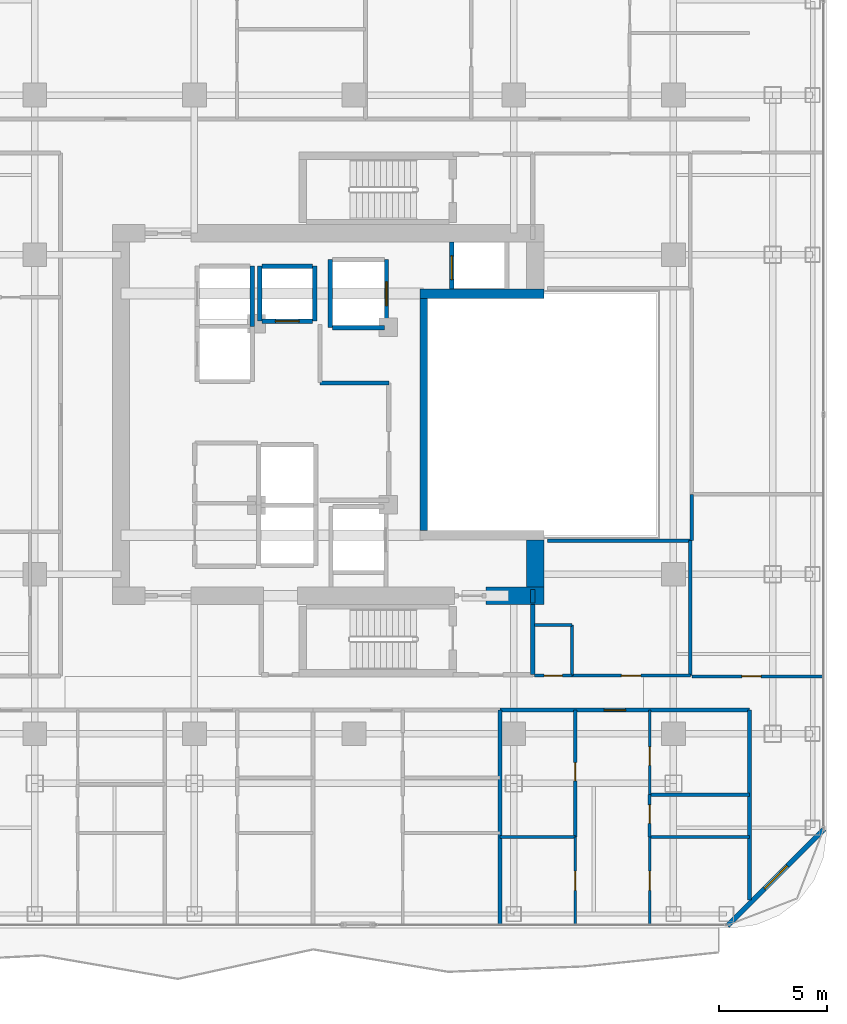
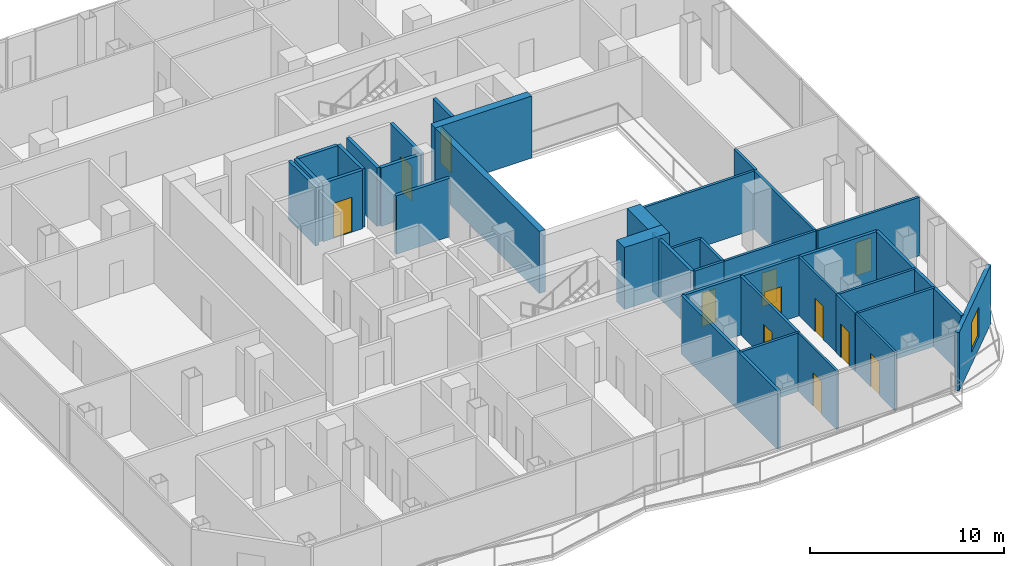
# One storey, part 20 of 25: 36 walls, 12 doors, 1 window, 13 openings.
"""IFC4 building model written with IfcOpenShell, lengths in metres."""

from ifc_helpers import new_model, si_unit, direction, frame, frame_2d, origin, place, context, subcontext, project, spatial, rectangle, extrude, material, layer, layer_set, type_object, element, fill, save


model = new_model("IFC4")

# Units and contexts
model_context = context("Model", 3, precision=1e-05, world=origin(), true_north=direction((0.0, 1.0)))
body_context = subcontext(model_context, "Body", "Model", "MODEL_VIEW")
ifc_project = project(units=[si_unit("LENGTHUNIT", "METRE"), si_unit("AREAUNIT", "SQUARE_METRE"), si_unit("VOLUMEUNIT", "CUBIC_METRE"), si_unit("PLANEANGLEUNIT", "RADIAN"), si_unit("MASSUNIT", "GRAM", prefix="KILO")], contexts=[model_context])

# Site, building, storey
site_placement = place(None, origin())
site = spatial("IfcSite", under=ifc_project, at=site_placement, CompositionType="ELEMENT")
building_placement = place(site_placement, origin())
building = spatial("IfcBuilding", under=site, at=building_placement, Name="Khorvyn Point Tower", CompositionType="ELEMENT")
storey_placement = place(building_placement, frame((0.0, 0.0, 171.89990234375)))
storey = spatial("IfcBuildingStorey", under=building, at=storey_placement, Name="L42", CompositionType="ELEMENT", Elevation=171.89990234375)

# Wall, opening, door
ifc_material_1 = material(Name="Double acoustic gypsum on twin steel stud", Category="steel")
ifc_layer_1 = layer(ifc_material_1, 0.179931640625)
ifc_layer_set_1 = layer_set([ifc_layer_1], Name="Acoustic Double-Stud Apartment Demising Wall 180")
wall_type_1 = type_object("IfcWallType", Name="Acoustic Double-Stud Apartment Demising Wall 180", PredefinedType="PARTITIONING", material=ifc_layer_set_1)
wall_1_placement = place(storey_placement, frame((6.75390625, -13.699951171875, 0.0), z_axis=(0.0, 0.0, 1.0), x_axis=(1.0, 0.0, 0.0)))
wall_1 = element("IfcWall", 1, at=wall_1_placement, inside=storey, type_object=wall_type_1, Name="Wall", PredefinedType="PARTITIONING", context=body_context, shape_type="SweptSolid", body=[
    extrude(rectangle(XDim=11.566162109375, YDim=0.179931640625, at=frame_2d((5.783203125, 0.0))), origin(), (0.0, 0.0, 1.0), 3.68017578125),
])
opening_1_placement = place(wall_1_placement, frame((4.83349609375, 0.0, 0.0)))
opening_1 = element("IfcOpeningElement", 2, at=opening_1_placement, cuts=wall_1, Name="Opening ID-AP60", PredefinedType="OPENING", context=body_context, shape_type="SweptSolid", body=[
    extrude(rectangle(XDim=1.0, YDim=2.199951171875, at=frame_2d((0.5, 1.10009765625))), frame((0.0, 0.099853515625, 0.0), z_axis=(0.0, -1.0, 0.0), x_axis=(1.0, 0.0, 0.0)), (0.0, 0.0, 1.0), 0.199951171875),
])
ifc_material_2 = material(Name="Engineered hardwood fire-rated leaf", Category="wood")
door_type_1 = type_object("IfcDoorType", Name="Acoustic Solid-Core Timber Apartment Entrance Door 1000x2200", OperationType="NOTDEFINED", PredefinedType="DOOR", material=ifc_material_2)
door_1_placement = place(opening_1_placement, origin())
door_1 = element("IfcDoor", 3, at=door_1_placement, inside=storey, type_object=door_type_1, Name="Door", OperationType="SINGLE_SWING_LEFT", OverallHeight=2.199951171875, OverallWidth=1.0, PredefinedType="DOOR", context=body_context, shape_type="SweptSolid", body=[
    extrude(rectangle(XDim=1.0, YDim=2.199951171875, at=frame_2d((0.5, 1.10009765625))), frame((0.0, 0.02490234375, 0.0), z_axis=(0.0, -1.0, 0.0), x_axis=(1.0, 0.0, 0.0)), (0.0, 0.0, 1.0), 0.050048828125),
])
fill(opening_1, door_1)

# Walls
wall_2_placement = place(storey_placement, frame((18.320068359375, -22.510009765625, 0.0), z_axis=(0.0, 0.0, 1.0), x_axis=(0.0, 1.0, 0.0)))
element("IfcWall", 4, at=wall_2_placement, inside=storey, type_object=wall_type_1, Name="Wall", PredefinedType="PARTITIONING", context=body_context, shape_type="SweptSolid", body=[
    extrude(rectangle(XDim=8.81005859375, YDim=0.179931640625, at=frame_2d((4.405029296875, 0.0))), origin(), (0.0, 0.0, 1.0), 3.68017578125),
])
wall_3_placement = place(storey_placement, frame((6.75390625, -23.6298828125, 0.0), z_axis=(0.0, 0.0, 1.0), x_axis=(0.0, 1.0, 0.0)))
element("IfcWall", 5, at=wall_3_placement, inside=storey, type_object=wall_type_1, Name="Wall", PredefinedType="PARTITIONING", context=body_context, shape_type="SweptSolid", body=[
    extrude(rectangle(XDim=9.929931640625, YDim=0.179931640625, at=frame_2d((4.96484375, 0.0))), origin(), (0.0, 0.0, 1.0), 3.68017578125),
])

# Wall, opening, window
ifc_material_3 = material(Name="Pale anodised aluminium rainscreen on steel stud", Category="steel")
ifc_layer_2 = layer(ifc_material_3, 0.239990234375)
ifc_layer_set_2 = layer_set([ifc_layer_2], Name="Anodised Aluminium Insulated Corner Spandrel Wall 240")
wall_type_2 = type_object("IfcWallType", Name="Anodised Aluminium Insulated Corner Spandrel Wall 240", PredefinedType="SOLIDWALL", material=ifc_layer_set_2)
wall_4_placement = place(storey_placement, frame((21.79248046875, -19.20751953125, 0.0), z_axis=(0.0, 0.0, 1.0), x_axis=(-0.707106781187, -0.707106781187, 0.0)))
wall_4 = element("IfcWall", 6, at=wall_4_placement, inside=storey, type_object=wall_type_2, Name="L42 Rounded Corner Wall SE", PredefinedType="SOLIDWALL", context=body_context, shape_type="SweptSolid", body=[
    extrude(rectangle(XDim=6.342529296875, YDim=0.239990234375, at=frame_2d((3.17138671875, 0.0))), origin(), (0.0, 0.0, 1.0), 3.68017578125),
])
opening_2_placement = place(wall_4_placement, frame((2.42138671875, 0.0, 0.800048828125)))
opening_2 = element("IfcOpeningElement", 7, at=opening_2_placement, cuts=wall_4, Name="Opening WN-1518", PredefinedType="OPENING", context=body_context, shape_type="SweptSolid", body=[
    extrude(rectangle(XDim=1.5, YDim=1.85009765625, at=frame_2d((0.75, 0.925048828125))), frame((0.0, 0.1298828125, 0.0), z_axis=(0.0, -1.0, 0.0), x_axis=(1.0, 0.0, 0.0)), (0.0, 0.0, 1.0), 0.260009765625),
])
ifc_material_4 = material(Name="Anodised aluminium 6063-T6 and laminated Low-E glass", Category="aluminium")
window_type = type_object("IfcWindowType", Name="Anodised Aluminium Rounded-Corner Panoramic Window 1500x1850", PartitioningType="SINGLE_PANEL", PredefinedType="WINDOW", material=ifc_material_4)
window_placement = place(opening_2_placement, origin())
window = element("IfcWindow", 8, at=window_placement, inside=storey, type_object=window_type, Name="L42 Corner Panoramic Window SE", OverallHeight=1.85009765625, OverallWidth=1.5, PartitioningType="SINGLE_PANEL", PredefinedType="WINDOW", context=body_context, shape_type="SweptSolid", body=[
    extrude(rectangle(XDim=1.5, YDim=1.85009765625, at=frame_2d((0.75, 0.925048828125))), frame((0.0, 0.030029296875, 0.0), z_axis=(0.0, -1.0, 0.0), x_axis=(1.0, 0.0, 0.0)), (0.0, 0.0, 1.0), 0.06005859375),
])
fill(opening_2, window)

# Walls
ifc_material_5 = material(Name="Concrete C40/50", Category="concrete")
ifc_layer_3 = layer(ifc_material_5, 0.449951171875)
ifc_layer_set_3 = layer_set([ifc_layer_3], Name="Concrete C40/50 Core Shear Wall 450")
wall_type_3 = type_object("IfcWallType", Name="Concrete C40/50 Core Shear Wall 450", PredefinedType="SHEAR", material=ifc_layer_set_3)
wall_5_placement = place(storey_placement, frame((3.044921875, 5.60009765625, 0.0), z_axis=(0.0, 0.0, 1.0), x_axis=(1.0, 0.0, 0.0)))
element("IfcWall", 9, at=wall_5_placement, inside=storey, type_object=wall_type_3, Name="Wall", PredefinedType="SHEAR", context=body_context, shape_type="SweptSolid", body=[
    extrude(rectangle(XDim=5.755126953125, YDim=0.449951171875, at=frame_2d((2.87744140625, 0.0))), origin(), (0.0, 0.0, 1.0), 3.900146484375),
])
ifc_layer_4 = layer(ifc_material_5, 0.199951171875)
ifc_layer_set_4 = layer_set([ifc_layer_4], Name="Concrete C40/50 Fire-Lobby Compartment Wall 200")
wall_type_4 = type_object("IfcWallType", Name="Concrete C40/50 Fire-Lobby Compartment Wall 200", PredefinedType="SOLIDWALL", material=ifc_layer_set_4)
wall_6_placement = place(storey_placement, frame((8.280029296875, -12.06005859375, 0.0), z_axis=(0.0, 0.0, 1.0), x_axis=(0.0, 1.0, 0.0)))
element("IfcWall", 10, at=wall_6_placement, inside=storey, type_object=wall_type_4, Name="Wall", PredefinedType="SOLIDWALL", context=body_context, shape_type="SweptSolid", body=[
    extrude(rectangle(XDim=3.260009765625, YDim=0.199951171875, at=frame_2d((1.6298828125, 0.0))), origin(), (0.0, 0.0, 1.0), 3.68017578125),
])
wall_7_placement = place(storey_placement, frame((-1.580078125, 1.4599609375, 0.0), z_axis=(0.0, 0.0, 1.0), x_axis=(1.0, 0.0, 0.0)))
element("IfcWall", 11, at=wall_7_placement, inside=storey, type_object=wall_type_4, Name="Wall", PredefinedType="SOLIDWALL", context=body_context, shape_type="SweptSolid", body=[
    extrude(rectangle(XDim=3.190185546875, YDim=0.199951171875, at=frame_2d((1.59521484375, 0.0))), origin(), (0.0, 0.0, 1.0), 3.68017578125),
])
wall_8_placement = place(storey_placement, frame((8.280029296875, -8.72509765625, 0.0), z_axis=(0.0, 0.0, 1.0), x_axis=(0.0, 1.0, 0.0)))
element("IfcWall", 12, at=wall_8_placement, inside=storey, type_object=wall_type_4, Name="Wall", PredefinedType="SOLIDWALL", context=body_context, shape_type="SweptSolid", body=[
    extrude(rectangle(XDim=0.625, YDim=0.199951171875, at=frame_2d((0.3125, 0.0))), origin(), (0.0, 0.0, 1.0), 3.68017578125),
])
ifc_layer_5 = layer(ifc_material_5, 0.35009765625)
ifc_layer_set_5 = layer_set([ifc_layer_5], Name="Concrete C40/50 Stair Shaft Structural Wall 350")
wall_type_5 = type_object("IfcWallType", Name="Concrete C40/50 Stair Shaft Structural Wall 350", PredefinedType="SHEAR", material=ifc_layer_set_5)
wall_9_placement = place(storey_placement, frame((3.219970703125, -5.375, 0.0), z_axis=(0.0, 0.0, 1.0), x_axis=(0.0, 1.0, 0.0)))
element("IfcWall", 13, at=wall_9_placement, inside=storey, type_object=wall_type_5, Name="Wall", PredefinedType="SHEAR", context=body_context, shape_type="SweptSolid", body=[
    extrude(rectangle(XDim=10.75, YDim=0.35009765625, at=frame_2d((5.375, 0.0))), origin(), (0.0, 0.0, 1.0), 3.900146484375),
])
ifc_layer_6 = layer(ifc_material_5, 0.199951171875)
ifc_layer_set_6 = layer_set([ifc_layer_6], Name="Concrete C40/50 Structural Hoistway and Stair Shaft Wall 200")
wall_type_6 = type_object("IfcWallType", Name="Concrete C40/50 Structural Hoistway and Stair Shaft Wall 200", PredefinedType="SHEAR", material=ifc_layer_set_6)
wall_10_placement = place(storey_placement, frame((-4.72509765625, 4.074951171875, 0.0), z_axis=(0.0, 0.0, 1.0), x_axis=(0.0, 1.0, 0.0)))
element("IfcWall", 14, at=wall_10_placement, inside=storey, type_object=wall_type_6, Name="Wall", PredefinedType="SHEAR", context=body_context, shape_type="SweptSolid", body=[
    extrude(rectangle(XDim=2.800048828125, YDim=0.199951171875, at=frame_2d((1.39990234375, 0.0))), origin(), (0.0, 0.0, 1.0), 3.68017578125),
])
for number, where, z_axis, x_axis, name in (
    (15, (-4.375, 4.324951171875, 0.0), (0.0, 0.0, 1.0), (0.0, 1.0, 0.0), "Wall"),
    (16, (-1.824951171875, 4.324951171875, 0.0), (0.0, 0.0, 1.0), (0.0, 1.0, 0.0), "Wall"),
):
    element("IfcWall", number, at=place(storey_placement, frame(where, z_axis=z_axis, x_axis=x_axis)), inside=storey, type_object=wall_type_6, Name=name, PredefinedType="SHEAR", context=body_context, shape_type="SweptSolid", body=[
        extrude(rectangle(XDim=2.550048828125, YDim=0.199951171875, at=frame_2d((1.27490234375, 0.0))), origin(), (0.0, 0.0, 1.0), 3.68017578125),
    ])

# Wall, opening, door
wall_11_placement = place(storey_placement, frame((-4.27490234375, 4.324951171875, 0.0), z_axis=(0.0, 0.0, 1.0), x_axis=(1.0, 0.0, 0.0)))
wall_11 = element("IfcWall", 17, at=wall_11_placement, inside=storey, type_object=wall_type_6, Name="Wall", PredefinedType="SHEAR", context=body_context, shape_type="SweptSolid", body=[
    extrude(rectangle(XDim=2.349853515625, YDim=0.199951171875, at=frame_2d((1.1748046875, 0.0))), origin(), (0.0, 0.0, 1.0), 3.68017578125),
])
opening_3_placement = place(wall_11_placement, frame((0.625, 0.0, 0.0)))
opening_3 = element("IfcOpeningElement", 18, at=opening_3_placement, cuts=wall_11, Name="Opening LD-1122", PredefinedType="OPENING", context=body_context, shape_type="SweptSolid", body=[
    extrude(rectangle(XDim=1.10009765625, YDim=2.199951171875, at=frame_2d((0.550048828125, 1.10009765625))), frame((0.0, 0.10986328125, 0.0), z_axis=(0.0, -1.0, 0.0), x_axis=(1.0, 0.0, 0.0)), (0.0, 0.0, 1.0), 0.219970703125),
])
ifc_material_6 = material(Name="Stainless steel 1.4301", Category="steel")
door_type_2 = type_object("IfcDoorType", Name="Stainless Steel Automatic Sliding Lift Landing Door 1100x2200", OperationType="SLIDING_TO_LEFT", PredefinedType="DOOR", material=ifc_material_6)
door_2_placement = place(opening_3_placement, origin())
door_2 = element("IfcDoor", 19, at=door_2_placement, inside=storey, type_object=door_type_2, Name="L42 RM-03 Sliding Lift Landing Door", OperationType="SLIDING_TO_LEFT", OverallHeight=2.199951171875, OverallWidth=1.10009765625, PredefinedType="DOOR", context=body_context, shape_type="SweptSolid", body=[
    extrude(rectangle(XDim=1.10009765625, YDim=2.199951171875, at=frame_2d((0.550048828125, 1.10009765625))), frame((0.0, 0.02490234375, 0.0), z_axis=(0.0, -1.0, 0.0), x_axis=(1.0, 0.0, 0.0)), (0.0, 0.0, 1.0), 0.050048828125),
])
fill(opening_3, door_2)

# Walls
wall_12_placement = place(storey_placement, frame((-4.27490234375, 6.875, 0.0), z_axis=(0.0, 0.0, 1.0), x_axis=(1.0, 0.0, 0.0)))
element("IfcWall", 20, at=wall_12_placement, inside=storey, type_object=wall_type_6, Name="Wall", PredefinedType="SHEAR", context=body_context, shape_type="SweptSolid", body=[
    extrude(rectangle(XDim=2.349853515625, YDim=0.199951171875, at=frame_2d((1.1748046875, 0.0))), origin(), (0.0, 0.0, 1.0), 3.68017578125),
])
wall_13_placement = place(storey_placement, frame((-1.10009765625, 4.02490234375, 0.0), z_axis=(0.0, 0.0, 1.0), x_axis=(0.0, 1.0, 0.0)))
element("IfcWall", 21, at=wall_13_placement, inside=storey, type_object=wall_type_6, Name="Wall", PredefinedType="SHEAR", context=body_context, shape_type="SweptSolid", body=[
    extrude(rectangle(XDim=3.150146484375, YDim=0.199951171875, at=frame_2d((1.5751953125, 0.0))), origin(), (0.0, 0.0, 1.0), 3.68017578125),
])

# Wall, opening, door
wall_14_placement = place(storey_placement, frame((1.5, 4.02490234375, 0.0), z_axis=(0.0, 0.0, 1.0), x_axis=(0.0, 1.0, 0.0)))
wall_14 = element("IfcWall", 22, at=wall_14_placement, inside=storey, type_object=wall_type_6, Name="Wall", PredefinedType="SHEAR", context=body_context, shape_type="SweptSolid", body=[
    extrude(rectangle(XDim=3.150146484375, YDim=0.199951171875, at=frame_2d((1.5751953125, 0.0))), origin(), (0.0, 0.0, 1.0), 3.68017578125),
])
opening_4_placement = place(wall_14_placement, frame((1.02490234375, 0.0, 0.0)))
opening_4 = element("IfcOpeningElement", 23, at=opening_4_placement, cuts=wall_14, Name="Opening LD-1122", PredefinedType="OPENING", context=body_context, shape_type="SweptSolid", body=[
    extrude(rectangle(XDim=1.10009765625, YDim=2.199951171875, at=frame_2d((0.550048828125, 1.10009765625))), frame((0.0, 0.10986328125, 0.0), z_axis=(0.0, -1.0, 0.0), x_axis=(1.0, 0.0, 0.0)), (0.0, 0.0, 1.0), 0.219970703125),
])
door_3_placement = place(opening_4_placement, origin())
door_3 = element("IfcDoor", 24, at=door_3_placement, inside=storey, type_object=door_type_2, Name="L42 SV-01 Sliding Lift Landing Door", OperationType="SLIDING_TO_LEFT", OverallHeight=2.199951171875, OverallWidth=1.10009765625, PredefinedType="DOOR", context=body_context, shape_type="SweptSolid", body=[
    extrude(rectangle(XDim=1.10009765625, YDim=2.199951171875, at=frame_2d((0.550048828125, 1.10009765625))), frame((0.0, 0.02490234375, 0.0), z_axis=(0.0, -1.0, 0.0), x_axis=(1.0, 0.0, 0.0)), (0.0, 0.0, 1.0), 0.050048828125),
])
fill(opening_4, door_3)

# Wall
wall_15_placement = place(storey_placement, frame((-1.0, 4.02490234375, 0.0), z_axis=(0.0, 0.0, 1.0), x_axis=(1.0, 0.0, 0.0)))
element("IfcWall", 25, at=wall_15_placement, inside=storey, type_object=wall_type_6, Name="Wall", PredefinedType="SHEAR", context=body_context, shape_type="SweptSolid", body=[
    extrude(rectangle(XDim=2.39990234375, YDim=0.199951171875, at=frame_2d((1.199951171875, 0.0))), origin(), (0.0, 0.0, 1.0), 3.68017578125),
])

# Wall, opening, door
wall_16_placement = place(storey_placement, frame((4.52490234375, 5.824951171875, 0.0), z_axis=(0.0, 0.0, 1.0), x_axis=(0.0, 1.0, 0.0)))
wall_16 = element("IfcWall", 26, at=wall_16_placement, inside=storey, type_object=wall_type_6, Name="Wall", PredefinedType="SHEAR", context=body_context, shape_type="SweptSolid", body=[
    extrude(rectangle(XDim=2.175048828125, YDim=0.199951171875, at=frame_2d((1.08740234375, 0.0))), origin(), (0.0, 0.0, 1.0), 3.68017578125),
])
opening_5_placement = place(wall_16_placement, frame((0.425048828125, 0.0, 0.0)))
opening_5 = element("IfcOpeningElement", 27, at=opening_5_placement, cuts=wall_16, Name="Opening LD-1122", PredefinedType="OPENING", context=body_context, shape_type="SweptSolid", body=[
    extrude(rectangle(XDim=1.10009765625, YDim=2.199951171875, at=frame_2d((0.550048828125, 1.10009765625))), frame((0.0, 0.10986328125, 0.0), z_axis=(0.0, -1.0, 0.0), x_axis=(1.0, 0.0, 0.0)), (0.0, 0.0, 1.0), 0.219970703125),
])
door_4_placement = place(opening_5_placement, origin())
door_4 = element("IfcDoor", 28, at=door_4_placement, inside=storey, type_object=door_type_2, Name="L42 FF-02 Sliding Lift Landing Door", OperationType="SLIDING_TO_LEFT", OverallHeight=2.199951171875, OverallWidth=1.10009765625, PredefinedType="DOOR", context=body_context, shape_type="SweptSolid", body=[
    extrude(rectangle(XDim=1.10009765625, YDim=2.199951171875, at=frame_2d((0.550048828125, 1.10009765625))), frame((0.0, 0.02490234375, 0.0), z_axis=(0.0, -1.0, 0.0), x_axis=(1.0, 0.0, 0.0)), (0.0, 0.0, 1.0), 0.050048828125),
])
fill(opening_5, door_4)

# Walls
ifc_material_7 = material(Name="Concrete C45/55", Category="concrete")
ifc_layer_7 = layer(ifc_material_7, 0.800048828125)
ifc_layer_set_7 = layer_set([ifc_layer_7], Name="Concrete C45/55 Core Shear Wall 800")
wall_type_7 = type_object("IfcWallType", Name="Concrete C45/55 Core Shear Wall 800", PredefinedType="SHEAR", material=ifc_layer_set_7)
wall_17_placement = place(storey_placement, frame((6.1201171875, -8.39990234375, 0.0), z_axis=(0.0, 0.0, 1.0), x_axis=(1.0, 0.0, 0.0)))
element("IfcWall", 29, at=wall_17_placement, inside=storey, type_object=wall_type_7, Name="Wall", PredefinedType="SHEAR", context=body_context, shape_type="SweptSolid", body=[
    extrude(rectangle(XDim=2.679931640625, YDim=0.800048828125, at=frame_2d((1.33984375, 0.0))), origin(), (0.0, 0.0, 1.0), 3.900146484375),
])
wall_18_placement = place(storey_placement, frame((8.39990234375, -8.0, 0.0), z_axis=(0.0, 0.0, 1.0), x_axis=(0.0, 1.0, 0.0)))
element("IfcWall", 30, at=wall_18_placement, inside=storey, type_object=wall_type_7, Name="Wall", PredefinedType="SHEAR", context=body_context, shape_type="SweptSolid", body=[
    extrude(rectangle(XDim=2.175048828125, YDim=0.800048828125, at=frame_2d((1.08740234375, 0.0))), origin(), (0.0, 0.0, 1.0), 3.900146484375),
])

# Wall, opening, door
ifc_material_8 = material(Name="Gypsum plasterboard on steel stud", Category="steel")
ifc_layer_8 = layer(ifc_material_8, 0.1201171875)
ifc_layer_set_8 = layer_set([ifc_layer_8], Name="Gypsum Acoustic Stud Room Partition Wall 120")
wall_type_8 = type_object("IfcWallType", Name="Gypsum Acoustic Stud Room Partition Wall 120", PredefinedType="PARTITIONING", material=ifc_layer_set_8)
wall_19_placement = place(storey_placement, frame((10.25, -23.6298828125, 0.0), z_axis=(0.0, 0.0, 1.0), x_axis=(0.0, 1.0, 0.0)))
wall_19 = element("IfcWall", 31, at=wall_19_placement, inside=storey, type_object=wall_type_8, Name="Wall", PredefinedType="PARTITIONING", context=body_context, shape_type="SweptSolid", body=[
    extrude(rectangle(XDim=4.0458984375, YDim=0.1201171875, at=frame_2d((2.02294921875, 0.0))), origin(), (0.0, 0.0, 1.0), 3.68017578125),
])
opening_6_placement = place(wall_19_placement, frame((1.572998046875, 0.0, 0.0)))
opening_6 = element("IfcOpeningElement", 32, at=opening_6_placement, cuts=wall_19, Name="Opening ID-RM90", PredefinedType="OPENING", context=body_context, shape_type="SweptSolid", body=[
    extrude(rectangle(XDim=0.89990234375, YDim=2.10009765625, at=frame_2d((0.449951171875, 1.050048828125))), frame((0.0, 0.070068359375, 0.0), z_axis=(0.0, -1.0, 0.0), x_axis=(1.0, 0.0, 0.0)), (0.0, 0.0, 1.0), 0.14013671875),
])
ifc_material_9 = material(Name="Engineered oak veneer timber", Category="wood")
door_type_3 = type_object("IfcDoorType", Name="Flush Engineered Timber Room Door 900x2100", OperationType="NOTDEFINED", PredefinedType="DOOR", material=ifc_material_9)
door_5_placement = place(opening_6_placement, origin())
door_5 = element("IfcDoor", 33, at=door_5_placement, inside=storey, type_object=door_type_3, Name="Door", OperationType="SINGLE_SWING_LEFT", OverallHeight=2.10009765625, OverallWidth=0.89990234375, PredefinedType="DOOR", context=body_context, shape_type="SweptSolid", body=[
    extrude(rectangle(XDim=0.89990234375, YDim=2.10009765625, at=frame_2d((0.449951171875, 1.050048828125))), frame((0.0, 0.02490234375, 0.0), z_axis=(0.0, -1.0, 0.0), x_axis=(1.0, 0.0, 0.0)), (0.0, 0.0, 1.0), 0.050048828125),
])
fill(opening_6, door_5)

wall_20_placement = place(storey_placement, frame((13.694091796875, -17.618896484375, 0.0), z_axis=(0.0, 0.0, 1.0), x_axis=(0.0, 1.0, 0.0)))
wall_20 = element("IfcWall", 34, at=wall_20_placement, inside=storey, type_object=wall_type_8, Name="Wall", PredefinedType="PARTITIONING", context=body_context, shape_type="SweptSolid", body=[
    extrude(rectangle(XDim=3.9189453125, YDim=0.1201171875, at=frame_2d((1.95947265625, 0.0))), origin(), (0.0, 0.0, 1.0), 3.68017578125),
])
opening_7_placement = place(wall_20_placement, frame((1.36279296875, 0.0, 0.0)))
opening_7 = element("IfcOpeningElement", 35, at=opening_7_placement, cuts=wall_20, Name="Opening ID-WC85", PredefinedType="OPENING", context=body_context, shape_type="SweptSolid", body=[
    extrude(rectangle(XDim=0.85009765625, YDim=2.10009765625, at=frame_2d((0.425048828125, 1.050048828125))), frame((0.0, 0.070068359375, 0.0), z_axis=(0.0, -1.0, 0.0), x_axis=(1.0, 0.0, 0.0)), (0.0, 0.0, 1.0), 0.14013671875),
])
ifc_material_10 = material(Name="High-pressure laminate on moisture-resistant core", Category="wood")
door_type_4 = type_object("IfcDoorType", Name="Moisture-Resistant Accessible Washroom Door 850x2100", OperationType="NOTDEFINED", PredefinedType="DOOR", material=ifc_material_10)
door_6_placement = place(opening_7_placement, origin())
door_6 = element("IfcDoor", 36, at=door_6_placement, inside=storey, type_object=door_type_4, Name="Door", OperationType="SINGLE_SWING_LEFT", OverallHeight=2.10009765625, OverallWidth=0.85009765625, PredefinedType="DOOR", context=body_context, shape_type="SweptSolid", body=[
    extrude(rectangle(XDim=0.85009765625, YDim=2.10009765625, at=frame_2d((0.425048828125, 1.050048828125))), frame((0.0, 0.02490234375, 0.0), z_axis=(0.0, -1.0, 0.0), x_axis=(1.0, 0.0, 0.0)), (0.0, 0.0, 1.0), 0.050048828125),
])
fill(opening_7, door_6)

wall_21_placement = place(storey_placement, frame((13.694091796875, -23.6298828125, 0.0), z_axis=(0.0, 0.0, 1.0), x_axis=(0.0, 1.0, 0.0)))
wall_21 = element("IfcWall", 37, at=wall_21_placement, inside=storey, type_object=wall_type_8, Name="Wall", PredefinedType="PARTITIONING", context=body_context, shape_type="SweptSolid", body=[
    extrude(rectangle(XDim=4.0458984375, YDim=0.1201171875, at=frame_2d((2.02294921875, 0.0))), origin(), (0.0, 0.0, 1.0), 3.68017578125),
])
opening_8_placement = place(wall_21_placement, frame((1.572998046875, 0.0, 0.0)))
opening_8 = element("IfcOpeningElement", 38, at=opening_8_placement, cuts=wall_21, Name="Opening ID-RM90", PredefinedType="OPENING", context=body_context, shape_type="SweptSolid", body=[
    extrude(rectangle(XDim=0.89990234375, YDim=2.10009765625, at=frame_2d((0.449951171875, 1.050048828125))), frame((0.0, 0.070068359375, 0.0), z_axis=(0.0, -1.0, 0.0), x_axis=(1.0, 0.0, 0.0)), (0.0, 0.0, 1.0), 0.14013671875),
])
door_7_placement = place(opening_8_placement, origin())
door_7 = element("IfcDoor", 39, at=door_7_placement, inside=storey, type_object=door_type_3, Name="Door", OperationType="SINGLE_SWING_RIGHT", OverallHeight=2.10009765625, OverallWidth=0.89990234375, PredefinedType="DOOR", context=body_context, shape_type="SweptSolid", body=[
    extrude(rectangle(XDim=0.89990234375, YDim=2.10009765625, at=frame_2d((0.449951171875, 1.050048828125))), frame((0.0, 0.02490234375, 0.0), z_axis=(0.0, -1.0, 0.0), x_axis=(1.0, 0.0, 0.0)), (0.0, 0.0, 1.0), 0.050048828125),
])
fill(opening_8, door_7)

ifc_material_11 = material(Name="Moisture-resistant gypsum and cement board", Category="gypsum")
ifc_layer_9 = layer(ifc_material_11, 0.14990234375)
ifc_layer_set_9 = layer_set([ifc_layer_9], Name="Moisture-Resistant Wet-Room Partition Wall 150")
wall_type_9 = type_object("IfcWallType", Name="Moisture-Resistant Wet-Room Partition Wall 150", PredefinedType="PARTITIONING", material=ifc_layer_set_9)
wall_22_placement = place(storey_placement, frame((8.360107421875, -12.10009765625, 0.0), z_axis=(0.0, 0.0, 1.0), x_axis=(1.0, 0.0, 0.0)))
wall_22 = element("IfcWall", 40, at=wall_22_placement, inside=storey, type_object=wall_type_9, Name="Wall", PredefinedType="PARTITIONING", context=body_context, shape_type="SweptSolid", body=[
    extrude(rectangle(XDim=1.739990234375, YDim=0.14990234375, at=frame_2d((0.8701171875, 0.0))), origin(), (0.0, 0.0, 1.0), 3.68017578125),
])
opening_9_placement = place(wall_22_placement, frame((0.445068359375, 0.0, 0.0)))
opening_9 = element("IfcOpeningElement", 41, at=opening_9_placement, cuts=wall_22, Name="Opening ID-WC85", PredefinedType="OPENING", context=body_context, shape_type="SweptSolid", body=[
    extrude(rectangle(XDim=0.85009765625, YDim=2.10009765625, at=frame_2d((0.425048828125, 1.050048828125))), frame((0.0, 0.0849609375, 0.0), z_axis=(0.0, -1.0, 0.0), x_axis=(1.0, 0.0, 0.0)), (0.0, 0.0, 1.0), 0.169921875),
])
door_8_placement = place(opening_9_placement, origin())
door_8 = element("IfcDoor", 42, at=door_8_placement, inside=storey, type_object=door_type_4, Name="Door", OperationType="SINGLE_SWING_LEFT", OverallHeight=2.10009765625, OverallWidth=0.85009765625, PredefinedType="DOOR", context=body_context, shape_type="SweptSolid", body=[
    extrude(rectangle(XDim=0.85009765625, YDim=2.10009765625, at=frame_2d((0.425048828125, 1.050048828125))), frame((0.0, 0.02490234375, 0.0), z_axis=(0.0, -1.0, 0.0), x_axis=(1.0, 0.0, 0.0)), (0.0, 0.0, 1.0), 0.050048828125),
])
fill(opening_9, door_8)

wall_23_placement = place(storey_placement, frame((10.10009765625, -12.10009765625, 0.0), z_axis=(0.0, 0.0, 1.0), x_axis=(1.0, 0.0, 0.0)))
wall_23 = element("IfcWall", 43, at=wall_23_placement, inside=storey, type_object=wall_type_9, Name="Wall", PredefinedType="PARTITIONING", context=body_context, shape_type="SweptSolid", body=[
    extrude(rectangle(XDim=5.47998046875, YDim=0.14990234375, at=frame_2d((2.739990234375, 0.0))), origin(), (0.0, 0.0, 1.0), 3.68017578125),
])
opening_10_placement = place(wall_23_placement, frame((2.2900390625, 0.0, 0.0)))
opening_10 = element("IfcOpeningElement", 44, at=opening_10_placement, cuts=wall_23, Name="Opening ID-RM90", PredefinedType="OPENING", context=body_context, shape_type="SweptSolid", body=[
    extrude(rectangle(XDim=0.89990234375, YDim=2.10009765625, at=frame_2d((0.449951171875, 1.050048828125))), frame((0.0, 0.0849609375, 0.0), z_axis=(0.0, -1.0, 0.0), x_axis=(1.0, 0.0, 0.0)), (0.0, 0.0, 1.0), 0.169921875),
])
door_9_placement = place(opening_10_placement, origin())
door_9 = element("IfcDoor", 45, at=door_9_placement, inside=storey, type_object=door_type_3, Name="Door", OperationType="SINGLE_SWING_RIGHT", OverallHeight=2.10009765625, OverallWidth=0.89990234375, PredefinedType="DOOR", context=body_context, shape_type="SweptSolid", body=[
    extrude(rectangle(XDim=0.89990234375, YDim=2.10009765625, at=frame_2d((0.449951171875, 1.050048828125))), frame((0.0, 0.02490234375, 0.0), z_axis=(0.0, -1.0, 0.0), x_axis=(1.0, 0.0, 0.0)), (0.0, 0.0, 1.0), 0.050048828125),
])
fill(opening_10, door_9)

wall_24_placement = place(storey_placement, frame((10.25, -19.583984375, 0.0), z_axis=(0.0, 0.0, 1.0), x_axis=(0.0, 1.0, 0.0)))
wall_24 = element("IfcWall", 46, at=wall_24_placement, inside=storey, type_object=wall_type_9, Name="Wall", PredefinedType="PARTITIONING", context=body_context, shape_type="SweptSolid", body=[
    extrude(rectangle(XDim=5.884033203125, YDim=0.14990234375, at=frame_2d((2.94189453125, 0.0))), origin(), (0.0, 0.0, 1.0), 3.68017578125),
])
opening_11_placement = place(wall_24_placement, frame((2.604248046875, 0.0, 0.0)))
opening_11 = element("IfcOpeningElement", 47, at=opening_11_placement, cuts=wall_24, Name="Opening ID-WC85", PredefinedType="OPENING", context=body_context, shape_type="SweptSolid", body=[
    extrude(rectangle(XDim=0.85009765625, YDim=2.10009765625, at=frame_2d((0.425048828125, 1.050048828125))), frame((0.0, 0.0849609375, 0.0), z_axis=(0.0, -1.0, 0.0), x_axis=(1.0, 0.0, 0.0)), (0.0, 0.0, 1.0), 0.169921875),
])
door_10_placement = place(opening_11_placement, origin())
door_10 = element("IfcDoor", 48, at=door_10_placement, inside=storey, type_object=door_type_4, Name="Door", OperationType="SINGLE_SWING_RIGHT", OverallHeight=2.10009765625, OverallWidth=0.85009765625, PredefinedType="DOOR", context=body_context, shape_type="SweptSolid", body=[
    extrude(rectangle(XDim=0.85009765625, YDim=2.10009765625, at=frame_2d((0.425048828125, 1.050048828125))), frame((0.0, 0.02490234375, 0.0), z_axis=(0.0, -1.0, 0.0), x_axis=(1.0, 0.0, 0.0)), (0.0, 0.0, 1.0), 0.050048828125),
])
fill(opening_11, door_10)

wall_25_placement = place(storey_placement, frame((13.694091796875, -19.583984375, 0.0), z_axis=(0.0, 0.0, 1.0), x_axis=(0.0, 1.0, 0.0)))
wall_25 = element("IfcWall", 49, at=wall_25_placement, inside=storey, type_object=wall_type_9, Name="Wall", PredefinedType="PARTITIONING", context=body_context, shape_type="SweptSolid", body=[
    extrude(rectangle(XDim=1.965087890625, YDim=0.14990234375, at=frame_2d((0.982421875, 0.0))), origin(), (0.0, 0.0, 1.0), 3.68017578125),
])
opening_12_placement = place(wall_25_placement, frame((0.636962890625, 0.0, 0.0)))
opening_12 = element("IfcOpeningElement", 50, at=opening_12_placement, cuts=wall_25, Name="Opening ID-WC85", PredefinedType="OPENING", context=body_context, shape_type="SweptSolid", body=[
    extrude(rectangle(XDim=0.85009765625, YDim=2.10009765625, at=frame_2d((0.425048828125, 1.050048828125))), frame((0.0, 0.0849609375, 0.0), z_axis=(0.0, -1.0, 0.0), x_axis=(1.0, 0.0, 0.0)), (0.0, 0.0, 1.0), 0.169921875),
])
door_11_placement = place(opening_12_placement, origin())
door_11 = element("IfcDoor", 51, at=door_11_placement, inside=storey, type_object=door_type_4, Name="Door", OperationType="SINGLE_SWING_RIGHT", OverallHeight=2.10009765625, OverallWidth=0.85009765625, PredefinedType="DOOR", context=body_context, shape_type="SweptSolid", body=[
    extrude(rectangle(XDim=0.85009765625, YDim=2.10009765625, at=frame_2d((0.425048828125, 1.050048828125))), frame((0.0, 0.02490234375, 0.0), z_axis=(0.0, -1.0, 0.0), x_axis=(1.0, 0.0, 0.0)), (0.0, 0.0, 1.0), 0.050048828125),
])
fill(opening_12, door_11)

wall_26_placement = place(storey_placement, frame((15.64990234375, -12.139892578125, 0.0), z_axis=(0.0, 0.0, 1.0), x_axis=(1.0, 0.0, 0.0)))
wall_26 = element("IfcWall", 52, at=wall_26_placement, inside=storey, type_object=wall_type_9, Name="Wall", PredefinedType="PARTITIONING", context=body_context, shape_type="SweptSolid", body=[
    extrude(rectangle(XDim=6.070068359375, YDim=0.14990234375, at=frame_2d((3.03515625, 0.0))), origin(), (0.0, 0.0, 1.0), 3.68017578125),
])
opening_13_placement = place(wall_26_placement, frame((2.315673828125, 0.0, 0.0)))
opening_13 = element("IfcOpeningElement", 53, at=opening_13_placement, cuts=wall_26, Name="Opening ID-RM90", PredefinedType="OPENING", context=body_context, shape_type="SweptSolid", body=[
    extrude(rectangle(XDim=0.89990234375, YDim=2.10009765625, at=frame_2d((0.449951171875, 1.050048828125))), frame((0.0, 0.0849609375, 0.0), z_axis=(0.0, -1.0, 0.0), x_axis=(1.0, 0.0, 0.0)), (0.0, 0.0, 1.0), 0.169921875),
])
door_12_placement = place(opening_13_placement, origin())
door_12 = element("IfcDoor", 54, at=door_12_placement, inside=storey, type_object=door_type_3, Name="Door", OperationType="SINGLE_SWING_LEFT", OverallHeight=2.10009765625, OverallWidth=0.89990234375, PredefinedType="DOOR", context=body_context, shape_type="SweptSolid", body=[
    extrude(rectangle(XDim=0.89990234375, YDim=2.10009765625, at=frame_2d((0.449951171875, 1.050048828125))), frame((0.0, 0.02490234375, 0.0), z_axis=(0.0, -1.0, 0.0), x_axis=(1.0, 0.0, 0.0)), (0.0, 0.0, 1.0), 0.050048828125),
])
fill(opening_13, door_12)

# Walls
wall_27_placement = place(storey_placement, frame((8.360107421875, -9.75, 0.0), z_axis=(0.0, 0.0, 1.0), x_axis=(1.0, 0.0, 0.0)))
element("IfcWall", 55, at=wall_27_placement, inside=storey, type_object=wall_type_9, Name="Wall", PredefinedType="PARTITIONING", context=body_context, shape_type="SweptSolid", body=[
    extrude(rectangle(XDim=1.739990234375, YDim=0.14990234375, at=frame_2d((0.8701171875, 0.0))), origin(), (0.0, 0.0, 1.0), 3.68017578125),
])
wall_28_placement = place(storey_placement, frame((10.10009765625, -12.10009765625, 0.0), z_axis=(0.0, 0.0, 1.0), x_axis=(0.0, 1.0, 0.0)))
element("IfcWall", 56, at=wall_28_placement, inside=storey, type_object=wall_type_9, Name="Wall", PredefinedType="PARTITIONING", context=body_context, shape_type="SweptSolid", body=[
    extrude(rectangle(XDim=2.35009765625, YDim=0.14990234375, at=frame_2d((1.175048828125, 0.0))), origin(), (0.0, 0.0, 1.0), 3.68017578125),
])
wall_29_placement = place(storey_placement, frame((15.580078125, -12.10009765625, 0.0), z_axis=(0.0, 0.0, 1.0), x_axis=(0.0, 1.0, 0.0)))
element("IfcWall", 57, at=wall_29_placement, inside=storey, type_object=wall_type_9, Name="Wall", PredefinedType="PARTITIONING", context=body_context, shape_type="SweptSolid", body=[
    extrude(rectangle(XDim=6.25, YDim=0.14990234375, at=frame_2d((3.125, 0.0))), origin(), (0.0, 0.0, 1.0), 3.68017578125),
])
wall_30_placement = place(storey_placement, frame((8.9599609375, -5.85009765625, 0.0), z_axis=(0.0, 0.0, 1.0), x_axis=(1.0, 0.0, 0.0)))
element("IfcWall", 58, at=wall_30_placement, inside=storey, type_object=wall_type_9, Name="Wall", PredefinedType="PARTITIONING", context=body_context, shape_type="SweptSolid", body=[
    extrude(rectangle(XDim=6.6201171875, YDim=0.14990234375, at=frame_2d((3.31005859375, 0.0))), origin(), (0.0, 0.0, 1.0), 3.68017578125),
])
wall_31_placement = place(storey_placement, frame((6.75390625, -19.583984375, 0.0), z_axis=(0.0, 0.0, 1.0), x_axis=(1.0, 0.0, 0.0)))
element("IfcWall", 59, at=wall_31_placement, inside=storey, type_object=wall_type_9, Name="Wall", PredefinedType="PARTITIONING", context=body_context, shape_type="SweptSolid", body=[
    extrude(rectangle(XDim=3.49609375, YDim=0.14990234375, at=frame_2d((1.748046875, 0.0))), origin(), (0.0, 0.0, 1.0), 3.68017578125),
])
for number, where, z_axis, x_axis, name in (
    (60, (13.694091796875, -17.618896484375, 0.0), (0.0, 0.0, 1.0), (1.0, 0.0, 0.0), "Wall"),
    (61, (13.694091796875, -19.583984375, 0.0), (0.0, 0.0, 1.0), (1.0, 0.0, 0.0), "Wall"),
):
    element("IfcWall", number, at=place(storey_placement, frame(where, z_axis=z_axis, x_axis=x_axis)), inside=storey, type_object=wall_type_9, Name=name, PredefinedType="PARTITIONING", context=body_context, shape_type="SweptSolid", body=[
        extrude(rectangle(XDim=4.6259765625, YDim=0.14990234375, at=frame_2d((2.31298828125, 0.0))), origin(), (0.0, 0.0, 1.0), 3.68017578125),
    ])
wall_32_placement = place(storey_placement, frame((15.64990234375, -5.85009765625, 0.0), z_axis=(0.0, 0.0, 1.0), x_axis=(0.0, 1.0, 0.0)))
element("IfcWall", 62, at=wall_32_placement, inside=storey, type_object=wall_type_9, Name="Wall", PredefinedType="PARTITIONING", context=body_context, shape_type="SweptSolid", body=[
    extrude(rectangle(XDim=2.150146484375, YDim=0.14990234375, at=frame_2d((1.0751953125, 0.0))), origin(), (0.0, 0.0, 1.0), 3.68017578125),
])

save(model, "model.ifc")
